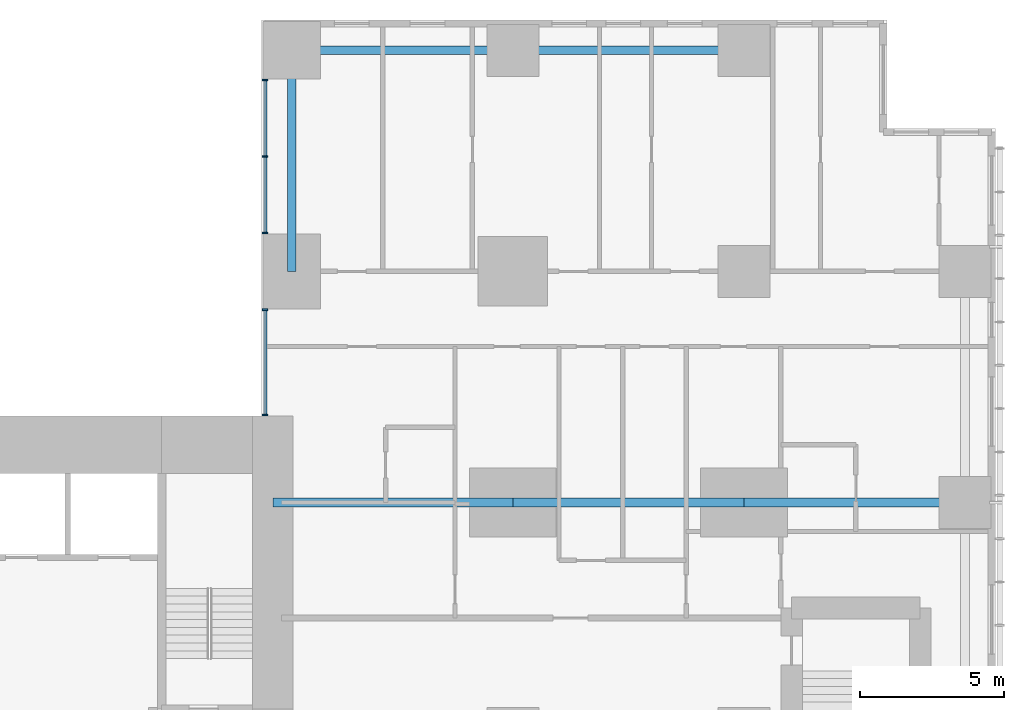
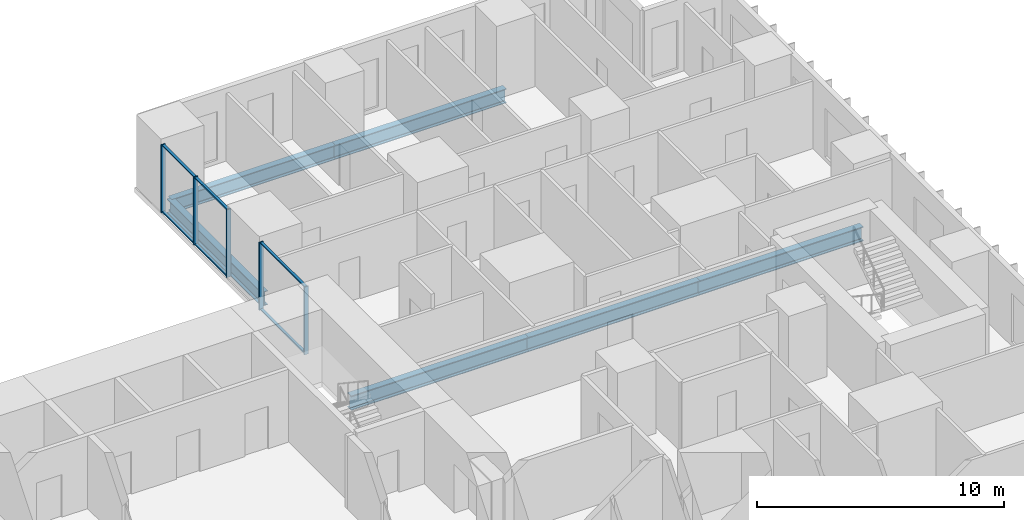
# One storey, part 5 of 20: 11 members, 6 beams, 2 elements without a shape of their own.
"""IFC4 building model written with IfcOpenShell, lengths in metres."""

from ifc_helpers import new_model, si_unit, direction, frame, origin, origin_2d, place, context, subcontext, project, spatial, rectangle, i_section, extrude, material, layer, layer_set, material_profile, profile_set, type_object, element, aggregate, save


model = new_model("IFC4")

# Units and contexts
model_context = context("Model", 3, precision=1e-05, world=origin(), true_north=direction((0.0, 1.0)))
body_context = subcontext(model_context, "Body", "Model", "MODEL_VIEW")
ifc_project = project(units=[si_unit("LENGTHUNIT", "METRE"), si_unit("AREAUNIT", "SQUARE_METRE"), si_unit("VOLUMEUNIT", "CUBIC_METRE"), si_unit("PLANEANGLEUNIT", "RADIAN"), si_unit("MASSUNIT", "GRAM", prefix="KILO")], contexts=[model_context])

# Site, building, storey
site_placement = place(None, origin())
site = spatial("IfcSite", under=ifc_project, at=site_placement, CompositionType="ELEMENT")
building_placement = place(site_placement, origin())
building = spatial("IfcBuilding", under=site, at=building_placement, Name="Cleftline Residences", CompositionType="ELEMENT")
storey_placement = place(building_placement, frame((0.0, 0.0, 214.60009765625)))
storey = spatial("IfcBuildingStorey", under=building, at=storey_placement, Name="L56", CompositionType="ELEMENT", Elevation=214.60009765625)

# Beams
ifc_material_1 = material(Name="Steel S355", Category="steel")
ifc_material_profile_1 = material_profile(ifc_material_1, i_section(OverallWidth=0.300048828125, OverallDepth=0.699951171875, WebThickness=0.01708984375, FlangeThickness=0.031982421875, FilletRadius=0.027099609375, at=origin_2d()))
ifc_profile_set_1 = profile_set([ifc_material_profile_1], Name="Steel S355")
beam_type_1 = type_object("IfcBeamType", Name="BEAM HEB 700", PredefinedType="BEAM", material=ifc_profile_set_1)
beam_1_placement = place(storey_placement, frame((58.0, 47.64990234375, -0.60009765625), z_axis=(-1.0, 0.0, 0.0), x_axis=(0.0, -1.0, 0.0)))
element("IfcBeam", 1, at=beam_1_placement, inside=storey, type_object=beam_type_1, Name="Edge beam", PredefinedType="BEAM", context=body_context, shape_type="SweptSolid", body=[
    extrude(i_section(OverallWidth=0.300048828125, OverallDepth=0.699951171875, WebThickness=0.01708984375, FlangeThickness=0.031982421875, FilletRadius=0.027099609375, at=origin_2d()), origin(), (0.0, 0.0, 1.0), 8.0),
])
for number, where, z_axis, x_axis, name in (
    (2, (50.0, 47.64990234375, -0.60009765625), (-1.0, 0.0, 0.0), (0.0, -1.0, 0.0), "Edge beam"),
    (3, (42.35009765625, 47.64990234375, -0.60009765625), (0.0, -1.0, 0.0), (1.0, 0.0, 0.0), "Edge beam"),
):
    element("IfcBeam", number, at=place(storey_placement, frame(where, z_axis=z_axis, x_axis=x_axis)), inside=storey, type_object=beam_type_1, Name=name, PredefinedType="BEAM", context=body_context, shape_type="SweptSolid", body=[
        extrude(i_section(OverallWidth=0.300048828125, OverallDepth=0.699951171875, WebThickness=0.01708984375, FlangeThickness=0.031982421875, FilletRadius=0.027099609375, at=origin_2d()), origin(), (0.0, 0.0, 1.0), 7.64990234375),
    ])
ifc_material_2 = material(Name="Steel S355", Category="steel")
ifc_material_profile_2 = material_profile(ifc_material_2, i_section(OverallWidth=0.303955078125, OverallDepth=0.716064453125, WebThickness=0.02099609375, FlangeThickness=0.0400390625, FilletRadius=0.027099609375, at=origin_2d()))
ifc_profile_set_2 = profile_set([ifc_material_profile_2], Name="Steel S355")
beam_type_2 = type_object("IfcBeamType", Name="BEAM HEM 700", PredefinedType="BEAM", material=ifc_profile_set_2)
beam_2_placement = place(storey_placement, frame((65.64990234375, 32.0, -0.608154296875), z_axis=(-1.0, 0.0, 0.0), x_axis=(0.0, -1.0, 0.0)))
element("IfcBeam", 4, at=beam_2_placement, inside=storey, type_object=beam_type_2, Name="Band beam", PredefinedType="BEAM", context=body_context, shape_type="SweptSolid", body=[
    extrude(i_section(OverallWidth=0.303955078125, OverallDepth=0.716064453125, WebThickness=0.02099609375, FlangeThickness=0.0400390625, FilletRadius=0.027099609375, at=origin_2d()), origin(), (0.0, 0.0, 1.0), 7.64990234375),
])
beam_3_placement = place(storey_placement, frame((58.0, 32.0, -0.608154296875), z_axis=(-1.0, 0.0, 0.0), x_axis=(0.0, -1.0, 0.0)))
element("IfcBeam", 5, at=beam_3_placement, inside=storey, type_object=beam_type_2, Name="Band beam", PredefinedType="BEAM", context=body_context, shape_type="SweptSolid", body=[
    extrude(i_section(OverallWidth=0.303955078125, OverallDepth=0.716064453125, WebThickness=0.02099609375, FlangeThickness=0.0400390625, FilletRadius=0.027099609375, at=origin_2d()), origin(), (0.0, 0.0, 1.0), 8.0),
])
beam_4_placement = place(storey_placement, frame((50.0, 32.0, -0.608154296875), z_axis=(-1.0, 0.0, 0.0), x_axis=(0.0, -1.0, 0.0)))
element("IfcBeam", 6, at=beam_4_placement, inside=storey, type_object=beam_type_2, Name="Band beam", PredefinedType="BEAM", context=body_context, shape_type="SweptSolid", body=[
    extrude(i_section(OverallWidth=0.303955078125, OverallDepth=0.716064453125, WebThickness=0.02099609375, FlangeThickness=0.0400390625, FilletRadius=0.027099609375, at=origin_2d()), origin(), (0.0, 0.0, 1.0), 8.300048828125),
])

# Curtain wall, members
ifc_material_3 = material(Name="Aluminium framed curtain wall", Category="aluminium")
ifc_layer = layer(ifc_material_3, 0.199951171875)
ifc_layer_set = layer_set([ifc_layer], Name="CW1 CLEFT GLAZING")
curtain_wall_type = type_object("IfcCurtainWallType", Name="CW1 CLEFT GLAZING", PredefinedType="NOTDEFINED", material=ifc_layer_set)
curtain_wall_1_placement = place(storey_placement, origin())
curtain_wall_1 = element("IfcCurtainWall", 7, at=curtain_wall_1_placement, inside=storey, type_object=curtain_wall_type, Name="Curtain wall CW1", PredefinedType="NOTDEFINED")
ifc_material_4 = material(Name="Aluminium mullion", Category="aluminium")
ifc_material_profile_3 = material_profile(ifc_material_4, rectangle(XDim=0.199951171875, YDim=0.06005859375, at=origin_2d()))
ifc_profile_set_3 = profile_set([ifc_material_profile_3], Name="Aluminium mullion")
member_type_1 = type_object("IfcMemberType", Name="CW1 MULLION", PredefinedType="MULLION", material=ifc_profile_set_3)
member_1_placement = place(storey_placement, frame((41.425048828125, 46.6201171875, 0.0), z_axis=(0.0, 0.0, 1.0), x_axis=(1.0, 0.0, 0.0)))
member_1 = element("IfcMember", 8, at=member_1_placement, type_object=member_type_1, Name="CW1 mullion 1", PredefinedType="MULLION", context=body_context, shape_type="SweptSolid", body=[
    extrude(rectangle(XDim=0.199951171875, YDim=0.06005859375, at=origin_2d()), origin(), (0.0, 0.0, 1.0), 3.349853515625),
])
member_2_placement = place(storey_placement, frame((41.425048828125, 43.97509765625, 0.0), z_axis=(0.0, 0.0, 1.0), x_axis=(1.0, 0.0, 0.0)))
member_2 = element("IfcMember", 9, at=member_2_placement, type_object=member_type_1, Name="CW1 mullion 2", PredefinedType="MULLION", context=body_context, shape_type="SweptSolid", body=[
    extrude(rectangle(XDim=0.199951171875, YDim=0.06005859375, at=origin_2d()), origin(), (0.0, 0.0, 1.0), 3.349853515625),
])
member_3_placement = place(storey_placement, frame((41.425048828125, 41.330078125, 0.0), z_axis=(0.0, 0.0, 1.0), x_axis=(1.0, 0.0, 0.0)))
member_3 = element("IfcMember", 10, at=member_3_placement, type_object=member_type_1, Name="CW1 mullion 3", PredefinedType="MULLION", context=body_context, shape_type="SweptSolid", body=[
    extrude(rectangle(XDim=0.199951171875, YDim=0.06005859375, at=origin_2d()), origin(), (0.0, 0.0, 1.0), 3.349853515625),
])

curtain_wall_2_placement = place(storey_placement, origin())
curtain_wall_2 = element("IfcCurtainWall", 11, at=curtain_wall_2_placement, inside=storey, type_object=curtain_wall_type, Name="Curtain wall CW1", PredefinedType="NOTDEFINED")
member_4_placement = place(storey_placement, frame((41.425048828125, 38.669921875, 0.0), z_axis=(0.0, 0.0, 1.0), x_axis=(1.0, 0.0, 0.0)))
member_4 = element("IfcMember", 12, at=member_4_placement, type_object=member_type_1, Name="CW1 mullion 1", PredefinedType="MULLION", context=body_context, shape_type="SweptSolid", body=[
    extrude(rectangle(XDim=0.199951171875, YDim=0.06005859375, at=origin_2d()), origin(), (0.0, 0.0, 1.0), 3.349853515625),
])
member_5_placement = place(storey_placement, frame((41.425048828125, 35.030029296875, 0.0), z_axis=(0.0, 0.0, 1.0), x_axis=(1.0, 0.0, 0.0)))
member_5 = element("IfcMember", 13, at=member_5_placement, type_object=member_type_1, Name="CW1 mullion 2", PredefinedType="MULLION", context=body_context, shape_type="SweptSolid", body=[
    extrude(rectangle(XDim=0.199951171875, YDim=0.06005859375, at=origin_2d()), origin(), (0.0, 0.0, 1.0), 3.349853515625),
])

# Member
ifc_material_5 = material(Name="Aluminium transom", Category="aluminium")
ifc_material_profile_4 = material_profile(ifc_material_5, rectangle(XDim=0.1201171875, YDim=0.06005859375, at=origin_2d()))
ifc_profile_set_4 = profile_set([ifc_material_profile_4], Name="Aluminium transom")
member_type_2 = type_object("IfcMemberType", Name="CW1 TRANSOM", PredefinedType="USERDEFINED", material=ifc_profile_set_4)
member_6_placement = place(storey_placement, frame((41.425048828125, 46.590087890625, 0.02978515625), z_axis=(0.0, -1.0, 0.0), x_axis=(1.0, 0.0, 0.0)))
member_6 = element("IfcMember", 14, at=member_6_placement, type_object=member_type_2, Name="CW1 transom 1.1", ObjectType="TRANSOM", PredefinedType="USERDEFINED", context=body_context, shape_type="SweptSolid", body=[
    extrude(rectangle(XDim=0.1201171875, YDim=0.06005859375, at=origin_2d()), origin(), (0.0, 0.0, 1.0), 2.585205078125),
])

member_7_placement = place(storey_placement, frame((41.425048828125, 46.590087890625, 3.31982421875), z_axis=(0.0, -1.0, 0.0), x_axis=(1.0, 0.0, 0.0)))
member_7 = element("IfcMember", 15, at=member_7_placement, type_object=member_type_2, Name="CW1 transom 1.2", ObjectType="TRANSOM", PredefinedType="USERDEFINED", context=body_context, shape_type="SweptSolid", body=[
    extrude(rectangle(XDim=0.1201171875, YDim=0.06005859375, at=origin_2d()), origin(), (0.0, 0.0, 1.0), 2.585205078125),
])

member_8_placement = place(storey_placement, frame((41.425048828125, 43.945068359375, 0.02978515625), z_axis=(0.0, -1.0, 0.0), x_axis=(1.0, 0.0, 0.0)))
member_8 = element("IfcMember", 16, at=member_8_placement, type_object=member_type_2, Name="CW1 transom 2.1", ObjectType="TRANSOM", PredefinedType="USERDEFINED", context=body_context, shape_type="SweptSolid", body=[
    extrude(rectangle(XDim=0.1201171875, YDim=0.06005859375, at=origin_2d()), origin(), (0.0, 0.0, 1.0), 2.5849609375),
])

member_9_placement = place(storey_placement, frame((41.425048828125, 43.945068359375, 3.31982421875), z_axis=(0.0, -1.0, 0.0), x_axis=(1.0, 0.0, 0.0)))
member_9 = element("IfcMember", 17, at=member_9_placement, type_object=member_type_2, Name="CW1 transom 2.2", ObjectType="TRANSOM", PredefinedType="USERDEFINED", context=body_context, shape_type="SweptSolid", body=[
    extrude(rectangle(XDim=0.1201171875, YDim=0.06005859375, at=origin_2d()), origin(), (0.0, 0.0, 1.0), 2.5849609375),
])

aggregate(curtain_wall_1, [member_1, member_2, member_3, member_6, member_7, member_8, member_9])

member_10_placement = place(storey_placement, frame((41.425048828125, 38.639892578125, 0.02978515625), z_axis=(0.0, -1.0, 0.0), x_axis=(1.0, 0.0, 0.0)))
member_10 = element("IfcMember", 18, at=member_10_placement, type_object=member_type_2, Name="CW1 transom 1.1", ObjectType="TRANSOM", PredefinedType="USERDEFINED", context=body_context, shape_type="SweptSolid", body=[
    extrude(rectangle(XDim=0.1201171875, YDim=0.06005859375, at=origin_2d()), origin(), (0.0, 0.0, 1.0), 3.579833984375),
])

member_11_placement = place(storey_placement, frame((41.425048828125, 38.639892578125, 3.31982421875), z_axis=(0.0, -1.0, 0.0), x_axis=(1.0, 0.0, 0.0)))
member_11 = element("IfcMember", 19, at=member_11_placement, type_object=member_type_2, Name="CW1 transom 1.2", ObjectType="TRANSOM", PredefinedType="USERDEFINED", context=body_context, shape_type="SweptSolid", body=[
    extrude(rectangle(XDim=0.1201171875, YDim=0.06005859375, at=origin_2d()), origin(), (0.0, 0.0, 1.0), 3.579833984375),
])

aggregate(curtain_wall_2, [member_4, member_5, member_10, member_11])

save(model, "model.ifc")
